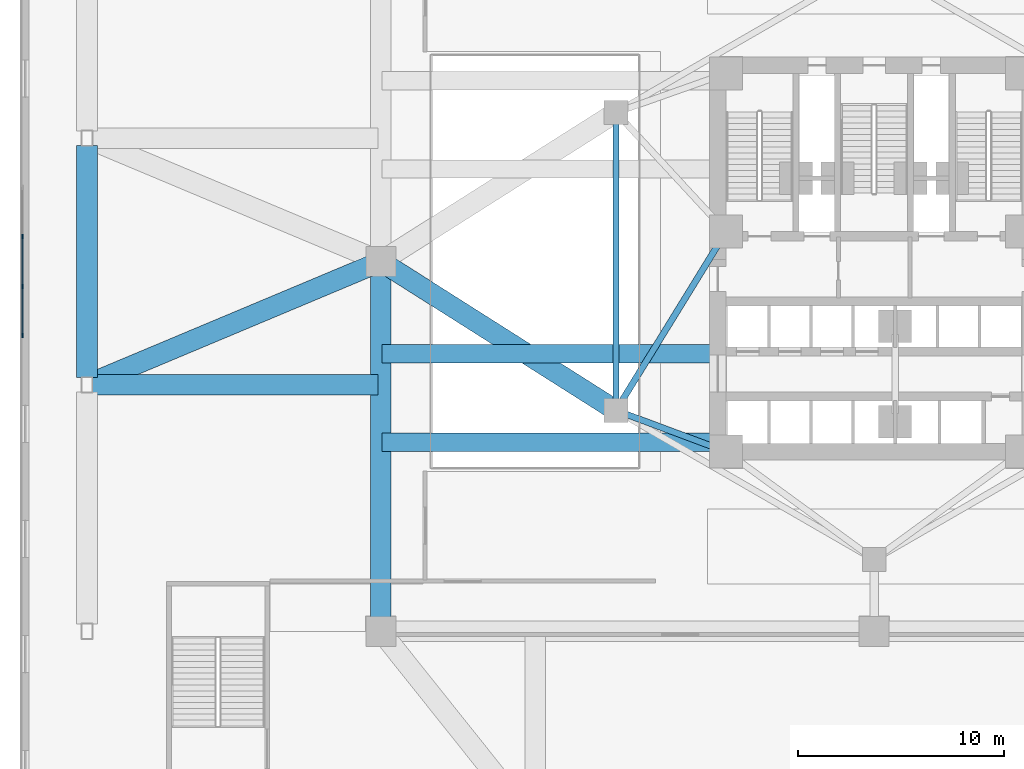
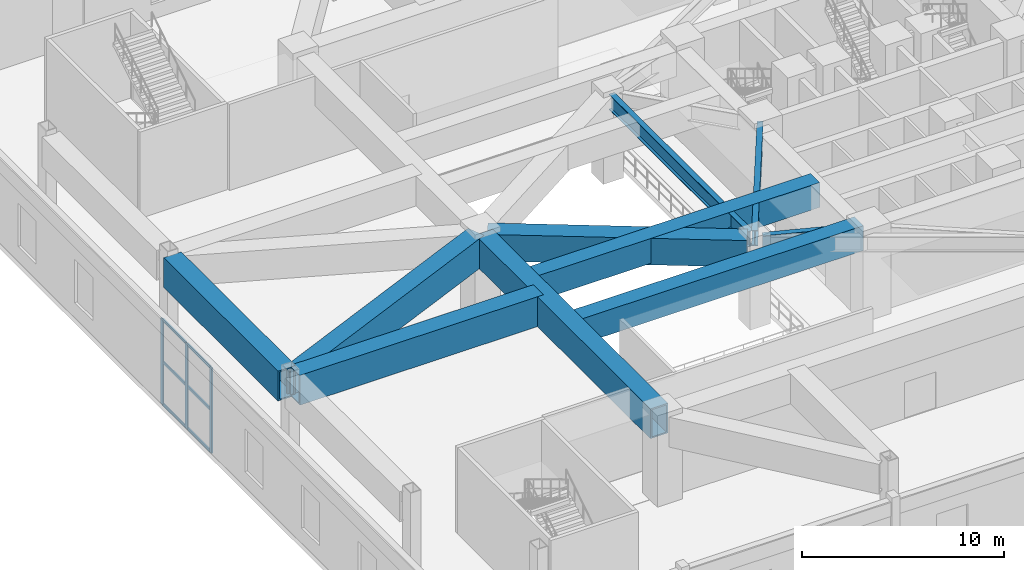
# One storey, part 2 of 23: 10 beams, 9 members, 1 element without a shape of its own.
"""IFC4 building model written with IfcOpenShell, lengths in metres."""

from ifc_helpers import new_model, si_unit, direction, frame, origin, origin_2d, place, context, subcontext, project, spatial, rectangle, hollow_rectangle, i_section, extrude, material, layer, layer_set, material_profile, profile_set, type_object, element, aggregate, save


model = new_model("IFC4")

# Units and contexts
model_context = context("Model", 3, precision=1e-05, world=origin(), true_north=direction((0.0, 1.0)))
body_context = subcontext(model_context, "Body", "Model", "MODEL_VIEW")
ifc_project = project(units=[si_unit("LENGTHUNIT", "METRE"), si_unit("AREAUNIT", "SQUARE_METRE"), si_unit("VOLUMEUNIT", "CUBIC_METRE"), si_unit("PLANEANGLEUNIT", "RADIAN"), si_unit("MASSUNIT", "GRAM", prefix="KILO")], contexts=[model_context])

# Site, building, storey
site_placement = place(None, origin())
site = spatial("IfcSite", under=ifc_project, at=site_placement, CompositionType="ELEMENT")
building_placement = place(site_placement, origin())
building = spatial("IfcBuilding", under=site, at=building_placement, Name="Apsidion Concourse Tower", CompositionType="ELEMENT")
storey_placement = place(building_placement, frame((0.0, 0.0, 6.0)))
storey = spatial("IfcBuildingStorey", under=building, at=storey_placement, Name="L01", CompositionType="ELEMENT", Elevation=6.0)

# Beams
ifc_material_1 = material(Name="Structural steel ASTM A992 Grade 50", Category="steel")
ifc_material_profile_1 = material_profile(ifc_material_1, i_section(OverallWidth=0.31005859375, OverallDepth=0.931884765625, WebThickness=0.02099609375, FlangeThickness=0.034423828125, at=origin_2d()), Name="W36X210")
ifc_profile_set_1 = profile_set([ifc_material_profile_1], Name="Structural steel ASTM A992 Grade 50")
beam_type_1 = type_object("IfcBeamType", Name="BM-G-W36", PredefinedType="USERDEFINED", material=ifc_profile_set_1)
beam_1_placement = place(storey_placement, frame((-12.185302734375, -7.389892578125, 4.73388671875), z_axis=(0.936913021145, -0.349562570664, 0.0), x_axis=(0.349562570664, 0.936913021145, 0.0)))
element("IfcBeam", 1, at=beam_1_placement, inside=storey, type_object=beam_type_1, Name="L01 Core Coupling Girder IC1-SC1", ObjectType="GIRDER", PredefinedType="USERDEFINED", context=body_context, shape_type="SweptSolid", body=[
    extrude(i_section(OverallWidth=0.31005859375, OverallDepth=0.931884765625, WebThickness=0.02099609375, FlangeThickness=0.034423828125, at=origin_2d()), origin(), (0.0, 0.0, 1.0), 4.921142578125),
])
beam_2_placement = place(storey_placement, frame((-12.35009765625, -6.909423828125, 4.73388671875), z_axis=(0.524524009763, 0.851395656074, 0.0), x_axis=(-0.851395656074, 0.524524009763, 0.0)))
element("IfcBeam", 2, at=beam_2_placement, inside=storey, type_object=beam_type_1, Name="L01 Core Coupling Girder IC1-SC6", ObjectType="GIRDER", PredefinedType="USERDEFINED", context=body_context, shape_type="SweptSolid", body=[
    extrude(i_section(OverallWidth=0.31005859375, OverallDepth=0.931884765625, WebThickness=0.02099609375, FlangeThickness=0.034423828125, at=origin_2d()), origin(), (0.0, 0.0, 1.0), 9.41845703125),
])
beam_3_placement = place(storey_placement, frame((-12.56005859375, -6.85009765625, 4.73388671875), z_axis=(0.0, 1.0, 0.0), x_axis=(-1.0, 0.0, 0.0)))
element("IfcBeam", 3, at=beam_3_placement, inside=storey, type_object=beam_type_1, Name="L01 Core Coupling Girder IC1-IC5", ObjectType="GIRDER", PredefinedType="USERDEFINED", context=body_context, shape_type="SweptSolid", body=[
    extrude(i_section(OverallWidth=0.31005859375, OverallDepth=0.931884765625, WebThickness=0.02099609375, FlangeThickness=0.034423828125, at=origin_2d()), origin(), (0.0, 0.0, 1.0), 13.7001953125),
])
ifc_material_2 = material(Name="Concrete C50/60", Category="concrete")
ifc_material_profile_2 = material_profile(ifc_material_2, rectangle(XDim=0.89990234375, YDim=1.5, at=origin_2d()), Name="RC 900x1500")
ifc_profile_set_2 = profile_set([ifc_material_profile_2], Name="Concrete C50/60")
beam_type_2 = type_object("IfcBeamType", Name="BM-TB-RC15", PredefinedType="T_BEAM", material=ifc_profile_set_2)
for number, where, z_axis, x_axis, name in (
    (4, (-23.949951171875, -8.800048828125, 4.449951171875), (1.0, 0.0, 0.0), (0.0, 1.0, 0.0), "L01 Convention Long-Span Tee Beam W1"),
    (5, (-23.949951171875, -4.5, 4.449951171875), (1.0, 0.0, 0.0), (0.0, 1.0, 0.0), "L01 Convention Long-Span Tee Beam W2"),
):
    element("IfcBeam", number, at=place(storey_placement, frame(where, z_axis=z_axis, x_axis=x_axis)), inside=storey, type_object=beam_type_2, Name=name, PredefinedType="T_BEAM", context=body_context, shape_type="SweptSolid", body=[
        extrude(rectangle(XDim=0.89990234375, YDim=1.5, at=origin_2d()), origin(), (0.0, 0.0, 1.0), 16.449951171875),
    ])
ifc_material_3 = material(Name="Structural steel ASTM A572 Grade 50", Category="steel")
ifc_material_profile_3 = material_profile(ifc_material_3, hollow_rectangle(XDim=1.0, YDim=1.60009765625, WallThickness=0.074951171875, at=origin_2d()), Name="BOX1600X1000X75")
ifc_profile_set_3 = profile_set([ifc_material_profile_3], Name="Structural steel ASTM A572 Grade 50")
beam_type_3 = type_object("IfcBeamType", Name="BM-TR-1600", PredefinedType="USERDEFINED", material=ifc_profile_set_3)
beam_4_placement = place(storey_placement, frame((-23.704345703125, -0.1875, 4.39990234375), z_axis=(0.844671254714, -0.535285411215, 0.0), x_axis=(0.535285411215, 0.844671254714, 0.0)))
element("IfcBeam", 6, at=beam_4_placement, inside=storey, type_object=beam_type_3, Name="L01 Podium Girder MC3-IC1", ObjectType="GIRDER", PredefinedType="USERDEFINED", context=body_context, shape_type="SweptSolid", body=[
    extrude(hollow_rectangle(XDim=1.0, YDim=1.60009765625, WallThickness=0.074951171875, at=origin_2d()), origin(), (0.0, 0.0, 1.0), 12.843505859375),
])
ifc_material_profile_4 = material_profile(ifc_material_3, hollow_rectangle(XDim=1.0, YDim=1.800048828125, WallThickness=0.080078125, at=origin_2d()), Name="BOX1800X1000X80")
ifc_profile_set_4 = profile_set([ifc_material_profile_4], Name="Structural steel ASTM A572 Grade 50")
beam_type_4 = type_object("IfcBeamType", Name="BM-TR-1800", PredefinedType="USERDEFINED", material=ifc_profile_set_4)
beam_5_placement = place(storey_placement, frame((-24.0, -17.64990234375, 4.300048828125), z_axis=(0.0, 1.0, 0.0), x_axis=(-1.0, 0.0, 0.0)))
element("IfcBeam", 7, at=beam_5_placement, inside=storey, type_object=beam_type_4, Name="L01 Podium Transfer Collector Girder MC1-MC3", ObjectType="GIRDER", PredefinedType="USERDEFINED", context=body_context, shape_type="SweptSolid", body=[
    extrude(hollow_rectangle(XDim=1.0, YDim=1.800048828125, WallThickness=0.080078125, at=origin_2d()), origin(), (0.0, 0.0, 1.0), 17.2998046875),
])
beam_6_placement = place(storey_placement, frame((-38.050048828125, -6.0, 4.300048828125), z_axis=(1.0, 0.0, 0.0), x_axis=(0.0, 1.0, 0.0)))
element("IfcBeam", 8, at=beam_6_placement, inside=storey, type_object=beam_type_4, Name="L01 Podium Radial Frame Girder PC02", ObjectType="GIRDER", PredefinedType="USERDEFINED", context=body_context, shape_type="SweptSolid", body=[
    extrude(hollow_rectangle(XDim=1.0, YDim=1.800048828125, WallThickness=0.080078125, at=origin_2d()), origin(), (0.0, 0.0, 1.0), 13.900146484375),
])
beam_7_placement = place(storey_placement, frame((-37.977294921875, -5.864501953125, 4.300048828125), z_axis=(0.92212437548, 0.386893572118, 0.0), x_axis=(-0.386893572118, 0.92212437548, 0.0)))
element("IfcBeam", 9, at=beam_7_placement, inside=storey, type_object=beam_type_4, Name="L01 Podium Diagonal Frame Tie PC02", ObjectType="GIRDER", PredefinedType="USERDEFINED", context=body_context, shape_type="SweptSolid", body=[
    extrude(hollow_rectangle(XDim=1.0, YDim=1.800048828125, WallThickness=0.080078125, at=origin_2d()), origin(), (0.0, 0.0, 1.0), 14.8076171875),
])
beam_8_placement = place(storey_placement, frame((-38.300048828125, -5.64990234375, 4.300048828125), z_axis=(0.0, 1.0, 0.0), x_axis=(-1.0, 0.0, 0.0)))
element("IfcBeam", 10, at=beam_8_placement, inside=storey, type_object=beam_type_4, Name="L01 Podium Spandrel Girder PC02-PC03", ObjectType="GIRDER", PredefinedType="USERDEFINED", context=body_context, shape_type="SweptSolid", body=[
    extrude(hollow_rectangle(XDim=1.0, YDim=1.800048828125, WallThickness=0.080078125, at=origin_2d()), origin(), (0.0, 0.0, 1.0), 11.2998046875),
])

# Curtain wall, members
ifc_material_4 = material(Name="Insulated laminated low-E glass", Category="glass")
ifc_layer = layer(ifc_material_4, 0.18994140625)
ifc_layer_set = layer_set([ifc_layer], Name="Insulated laminated low-E glass")
curtain_wall_type = type_object("IfcCurtainWallType", Name="CW-SYS-01", PredefinedType="NOTDEFINED", material=ifc_layer_set)
curtain_wall_placement = place(storey_placement, origin())
curtain_wall = element("IfcCurtainWall", 11, at=curtain_wall_placement, inside=storey, type_object=curtain_wall_type, Name="L01 Podium Glazed Curtain Wall W", PredefinedType="NOTDEFINED")
ifc_material_5 = material(Name="Anodised aluminium EN AW-6063 T6", Category="aluminium")
ifc_material_profile_5 = material_profile(ifc_material_5, rectangle(XDim=0.074951171875, YDim=0.219970703125, at=origin_2d()), Name="ALU MULLION 75x220")
ifc_profile_set_5 = profile_set([ifc_material_profile_5], Name="Anodised aluminium EN AW-6063 T6")
member_type_1 = type_object("IfcMemberType", Name="CWM-75X220", PredefinedType="MULLION", material=ifc_profile_set_5)
member_1_placement = place(storey_placement, frame((-41.43994140625, -3.598388671875, 0.0), z_axis=(0.0, 0.0, 1.0), x_axis=(-1.0, 0.0, 0.0)))
member_1 = element("IfcMember", 12, at=member_1_placement, type_object=member_type_1, Name="CW-01 mullion 1", PredefinedType="MULLION", context=body_context, shape_type="SweptSolid", body=[
    extrude(rectangle(XDim=0.074951171875, YDim=0.219970703125, at=origin_2d()), origin(), (0.0, 0.0, 1.0), 5.14990234375),
])
member_2_placement = place(storey_placement, frame((-41.43994140625, -1.2119140625, 0.0), z_axis=(0.0, 0.0, 1.0), x_axis=(-1.0, 0.0, 0.0)))
member_2 = element("IfcMember", 13, at=member_2_placement, type_object=member_type_1, Name="CW-01 mullion 2", PredefinedType="MULLION", context=body_context, shape_type="SweptSolid", body=[
    extrude(rectangle(XDim=0.074951171875, YDim=0.219970703125, at=origin_2d()), origin(), (0.0, 0.0, 1.0), 5.14990234375),
])
member_3_placement = place(storey_placement, frame((-41.43994140625, 1.2119140625, 0.0), z_axis=(0.0, 0.0, 1.0), x_axis=(-1.0, 0.0, 0.0)))
member_3 = element("IfcMember", 14, at=member_3_placement, type_object=member_type_1, Name="CW-01 mullion 3", PredefinedType="MULLION", context=body_context, shape_type="SweptSolid", body=[
    extrude(rectangle(XDim=0.074951171875, YDim=0.219970703125, at=origin_2d()), origin(), (0.0, 0.0, 1.0), 5.14990234375),
])
ifc_material_profile_6 = material_profile(ifc_material_5, rectangle(XDim=0.074951171875, YDim=0.159912109375, at=origin_2d()), Name="ALU TRANSOM 75x160")
ifc_profile_set_6 = profile_set([ifc_material_profile_6], Name="Anodised aluminium EN AW-6063 T6")
member_type_2 = type_object("IfcMemberType", Name="CWT-75X160", PredefinedType="USERDEFINED", material=ifc_profile_set_6)
member_4_placement = place(storey_placement, frame((-41.43994140625, -3.56103515625, 0.03759765625), z_axis=(0.0, 1.0, 0.0), x_axis=(-1.0, 0.0, 0.0)))
member_4 = element("IfcMember", 15, at=member_4_placement, type_object=member_type_2, Name="CW-01 transom 1.1", ObjectType="TRANSOM", PredefinedType="USERDEFINED", context=body_context, shape_type="SweptSolid", body=[
    extrude(rectangle(XDim=0.074951171875, YDim=0.159912109375, at=origin_2d()), origin(), (0.0, 0.0, 1.0), 2.3115234375),
])
member_5_placement = place(storey_placement, frame((-41.43994140625, -3.56103515625, 2.574951171875), z_axis=(0.0, 1.0, 0.0), x_axis=(-1.0, 0.0, 0.0)))
member_5 = element("IfcMember", 16, at=member_5_placement, type_object=member_type_2, Name="CW-01 transom 1.2", ObjectType="TRANSOM", PredefinedType="USERDEFINED", context=body_context, shape_type="SweptSolid", body=[
    extrude(rectangle(XDim=0.074951171875, YDim=0.159912109375, at=origin_2d()), origin(), (0.0, 0.0, 1.0), 2.3115234375),
])
member_6_placement = place(storey_placement, frame((-41.43994140625, -3.56103515625, 5.112548828125), z_axis=(0.0, 1.0, 0.0), x_axis=(-1.0, 0.0, 0.0)))
member_6 = element("IfcMember", 17, at=member_6_placement, type_object=member_type_2, Name="CW-01 transom 1.3", ObjectType="TRANSOM", PredefinedType="USERDEFINED", context=body_context, shape_type="SweptSolid", body=[
    extrude(rectangle(XDim=0.074951171875, YDim=0.159912109375, at=origin_2d()), origin(), (0.0, 0.0, 1.0), 2.3115234375),
])
member_7_placement = place(storey_placement, frame((-41.43994140625, -1.174560546875, 0.03759765625), z_axis=(0.0, 1.0, 0.0), x_axis=(-1.0, 0.0, 0.0)))
member_7 = element("IfcMember", 18, at=member_7_placement, type_object=member_type_2, Name="CW-01 transom 2.1", ObjectType="TRANSOM", PredefinedType="USERDEFINED", context=body_context, shape_type="SweptSolid", body=[
    extrude(rectangle(XDim=0.074951171875, YDim=0.159912109375, at=origin_2d()), origin(), (0.0, 0.0, 1.0), 2.34912109375),
])
member_8_placement = place(storey_placement, frame((-41.43994140625, -1.174560546875, 2.574951171875), z_axis=(0.0, 1.0, 0.0), x_axis=(-1.0, 0.0, 0.0)))
member_8 = element("IfcMember", 19, at=member_8_placement, type_object=member_type_2, Name="CW-01 transom 2.2", ObjectType="TRANSOM", PredefinedType="USERDEFINED", context=body_context, shape_type="SweptSolid", body=[
    extrude(rectangle(XDim=0.074951171875, YDim=0.159912109375, at=origin_2d()), origin(), (0.0, 0.0, 1.0), 2.34912109375),
])
member_9_placement = place(storey_placement, frame((-41.43994140625, -1.174560546875, 5.112548828125), z_axis=(0.0, 1.0, 0.0), x_axis=(-1.0, 0.0, 0.0)))
member_9 = element("IfcMember", 20, at=member_9_placement, type_object=member_type_2, Name="CW-01 transom 2.3", ObjectType="TRANSOM", PredefinedType="USERDEFINED", context=body_context, shape_type="SweptSolid", body=[
    extrude(rectangle(XDim=0.074951171875, YDim=0.159912109375, at=origin_2d()), origin(), (0.0, 0.0, 1.0), 2.34912109375),
])
aggregate(curtain_wall, [member_1, member_2, member_3, member_4, member_5, member_6, member_7, member_8, member_9])

save(model, "model.ifc")
